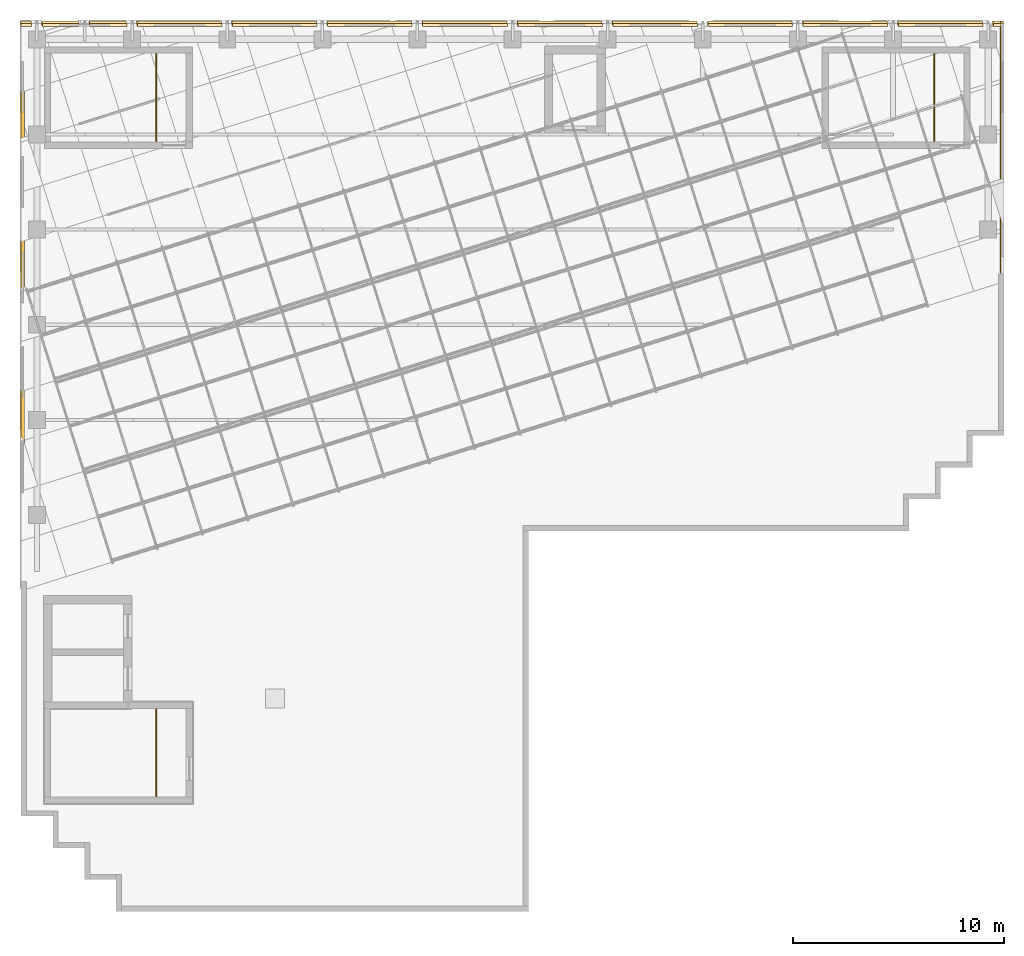
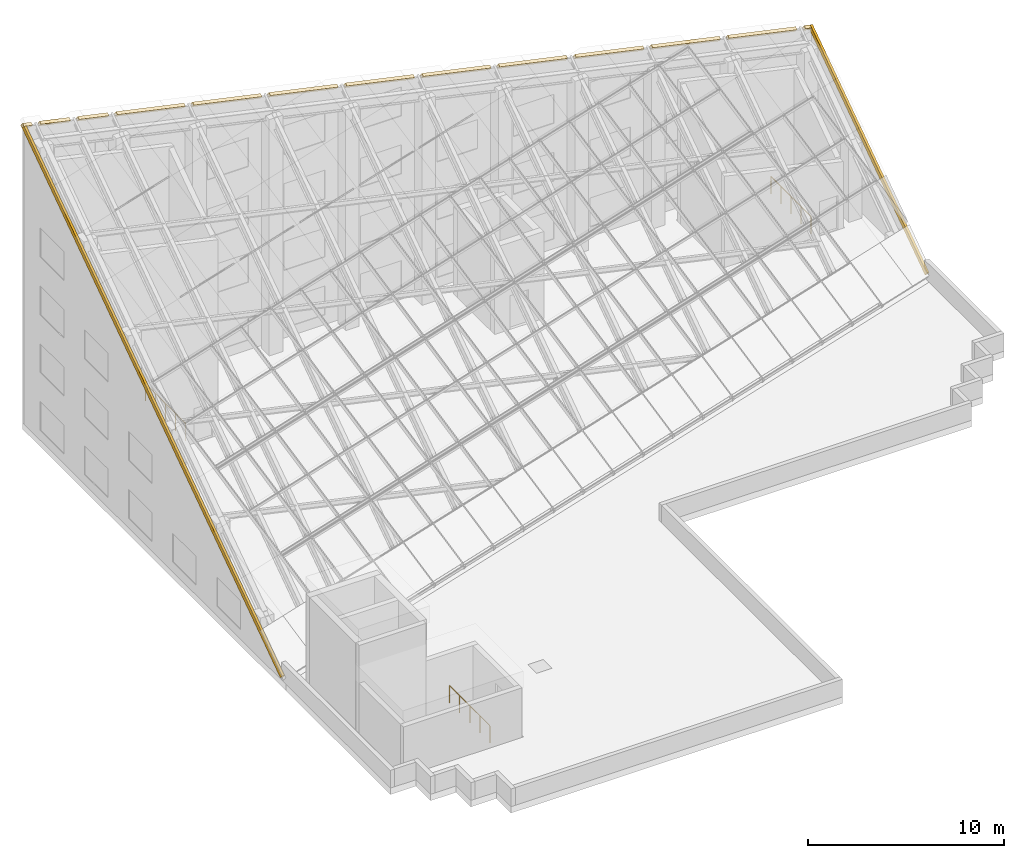
# One storey, part 14 of 14: 15 coverings, 3 railings.
"""IFC4 building model written with IfcOpenShell, lengths in metres."""

from ifc_helpers import new_model, si_unit, direction, frame, origin, origin_2d, place, context, subcontext, project, spatial, polyline, circle, outline, extrude, material, layer, layer_set, type_object, element, save


model = new_model("IFC4")

# Units and contexts
model_context = context("Model", 3, precision=1e-05, world=origin(), true_north=direction((0.0, 1.0)))
body_context = subcontext(model_context, "Body", "Model", "MODEL_VIEW")
ifc_project = project(units=[si_unit("LENGTHUNIT", "METRE"), si_unit("AREAUNIT", "SQUARE_METRE"), si_unit("VOLUMEUNIT", "CUBIC_METRE"), si_unit("PLANEANGLEUNIT", "RADIAN"), si_unit("MASSUNIT", "GRAM", prefix="KILO")], contexts=[model_context])

# Site, building, storey
site_placement = place(None, origin())
site = spatial("IfcSite", under=ifc_project, at=site_placement, CompositionType="ELEMENT")
building_placement = place(site_placement, origin())
building = spatial("IfcBuilding", under=site, at=building_placement, Name="Firuza Court", CompositionType="ELEMENT")
storey_placement = place(building_placement, frame((0.0, 0.0, 266.199951171875)))
storey = spatial("IfcBuildingStorey", under=building, at=storey_placement, Name="L68 Crown", CompositionType="ELEMENT", Elevation=266.199951171875)

# Coverings
ifc_material_1 = material(Name="Ceramic tile", Category="ceramic")
ifc_layer_1 = layer(ifc_material_1, 0.02001953125)
ifc_material_2 = material(Name="Concrete C40/50 precast", Category="concrete")
ifc_layer_2 = layer(ifc_material_2, 0.199951171875)
ifc_layer_set = layer_set([ifc_layer_1, ifc_layer_2], Name="Concrete C40/50 precast")
covering_type = type_object("IfcCoveringType", Name="Crown eave cill 150", PredefinedType="CLADDING", material=ifc_layer_set)
covering_1_placement = place(storey_placement, frame((45.60009765625, 59.25, 8.52734375), z_axis=(0.176552440868, -0.560697832992, 0.808979094725), x_axis=(0.977003709022, 0.0, -0.213222307832)))
element("IfcCovering", 1, at=covering_1_placement, inside=storey, type_object=covering_type, Name="Crown eave cill", PredefinedType="CLADDING", context=body_context, shape_type="SweptSolid", body=[
    extrude(outline(polyline([(0.0, 0.0), (0.15343068031958304, 0.0), (1.909651627422516, -14.352047002215905), (1.7562209471029329, -14.352047002215905), (0.0, 0.0)])), origin(), (0.0, 0.0, -1.0), 0.219970703125),
])
covering_2_placement = place(storey_placement, frame((45.25, 59.10009765625, 8.49951171875), z_axis=(0.175971614045, -0.56114927062, 0.808792610706), x_axis=(0.0, 0.821613694166, 0.570044680317)))
element("IfcCovering", 2, at=covering_2_placement, inside=storey, type_object=covering_type, Name="Crown eave cill", PredefinedType="CLADDING", context=body_context, shape_type="SweptSolid", body=[
    extrude(outline(polyline([(0.0, 0.0), (0.18244869190268795, -3.469446951953614e-18), (0.13902731976913416, -0.3556474488799241), (-0.043421372133553814, -0.3556474488799241), (0.0, 0.0)])), origin(), (0.0, 0.0, -1.0), 0.219970703125),
])
covering_3_placement = place(storey_placement, frame((40.75, 59.10009765625, 9.48046875), z_axis=(0.176402289483, -0.560215170765, 0.809346152588), x_axis=(0.0, 0.82224039823, 0.569140340794)))
element("IfcCovering", 3, at=covering_3_placement, inside=storey, type_object=covering_type, Name="Crown eave cill", PredefinedType="CLADDING", context=body_context, shape_type="SweptSolid", body=[
    extrude(outline(polyline([(0.0, 0.0), (0.18230963118907922, 0.0), (-0.3138818133850775, -4.063726728545809), (-0.4961914445741567, -4.063726728545809), (0.0, 0.0)])), origin(), (0.0, 0.0, -1.0), 0.219970703125),
])
covering_4_placement = place(storey_placement, frame((36.25, 59.10009765625, 10.461181640625), z_axis=(0.176313232587, -0.560669592598, 0.809050833972), x_axis=(9.5512723e-05, 0.821936791934, 0.569578704784)))
element("IfcCovering", 4, at=covering_4_placement, inside=storey, type_object=covering_type, Name="Crown eave cill", PredefinedType="CLADDING", context=body_context, shape_type="SweptSolid", body=[
    extrude(outline(polyline([(0.0, 0.0), (0.1823096044385637, -5.204170427930421e-18), (-0.3137429091424448, -4.063691318396869), (-0.49619157088198096, -4.063726711923199), (0.0, 0.0)])), origin(), (0.0, 0.0, -1.0), 0.219970703125),
])
for number, where, z_axis, x_axis, name in (
    (5, (31.75, 59.10009765625, 11.44189453125), (0.176272016501, -0.561118632093, 0.808748450951), (0.0, 0.821613694166, 0.570044680317), "Crown eave cill"),
    (6, (27.25, 59.10009765625, 12.422607421875), (0.176272016501, -0.561118632093, 0.808748450951), (0.0, 0.821613694166, 0.570044680317), "Crown eave cill"),
    (7, (22.75, 59.10009765625, 13.403564453125), (0.176272016501, -0.561118632093, 0.808748450951), (0.0, 0.821613694166, 0.570044680317), "Crown eave cill"),
):
    element("IfcCovering", number, at=place(storey_placement, frame(where, z_axis=z_axis, x_axis=x_axis)), inside=storey, type_object=covering_type, Name=name, PredefinedType="CLADDING", context=body_context, shape_type="SweptSolid", body=[
        extrude(outline(polyline([(0.0, 0.0), (0.18244869190268795, -1.734723475976807e-18), (-0.31453117953616033, -4.0636303819799915), (-0.4969798714388483, -4.063630381979991), (0.0, 0.0)])), origin(), (0.0, 0.0, -1.0), 0.219970703125),
    ])
covering_5_placement = place(storey_placement, frame((18.25, 59.10009765625, 14.38427734375), z_axis=(0.176313232587, -0.560669592598, 0.809050833972), x_axis=(9.5512723e-05, 0.821936791934, 0.569578704784)))
element("IfcCovering", 8, at=covering_5_placement, inside=storey, type_object=covering_type, Name="Crown eave cill", PredefinedType="CLADDING", context=body_context, shape_type="SweptSolid", body=[
    extrude(outline(polyline([(0.0, 0.0), (0.1823096044385637, -5.204170427930421e-18), (-0.3137429091424448, -4.063691318396869), (-0.49619157088198096, -4.063726711923199), (0.0, 0.0)])), origin(), (0.0, 0.0, -1.0), 0.219970703125),
])
for number, where, z_axis, x_axis, name in (
    (9, (13.75, 59.10009765625, 15.364990234375), (0.176272016501, -0.561118632093, 0.808748450951), (0.0, 0.821613694166, 0.570044680317), "Crown eave cill"),
    (10, (9.25, 59.10009765625, 16.345703125), (0.176272016501, -0.561118632093, 0.808748450951), (0.0, 0.821613694166, 0.570044680317), "Crown eave cill"),
    (11, (4.75, 59.10009765625, 17.32666015625), (0.176272016501, -0.561118632093, 0.808748450951), (0.0, 0.821613694166, 0.570044680317), "Crown eave cill"),
):
    element("IfcCovering", number, at=place(storey_placement, frame(where, z_axis=z_axis, x_axis=x_axis)), inside=storey, type_object=covering_type, Name=name, PredefinedType="CLADDING", context=body_context, shape_type="SweptSolid", body=[
        extrude(outline(polyline([(0.0, 0.0), (0.18244869190268795, -1.734723475976807e-18), (-0.31453117953616033, -4.0636303819799915), (-0.4969798714388483, -4.063630381979991), (0.0, 0.0)])), origin(), (0.0, 0.0, -1.0), 0.219970703125),
    ])
covering_6_placement = place(storey_placement, frame((2.5, 59.10009765625, 17.81689453125), z_axis=(0.176237853098, -0.561122119191, 0.808753476957), x_axis=(0.0, 0.821613694166, 0.570044680317)))
element("IfcCovering", 12, at=covering_6_placement, inside=storey, type_object=covering_type, Name="Crown eave cill", PredefinedType="CLADDING", context=body_context, shape_type="SweptSolid", body=[
    extrude(outline(polyline([(0.0, 0.0), (0.18244869190268795, -1.734723475976807e-18), (-0.034936510894142334, -1.777827243725427), (-0.2173852027968303, -1.777827243725427), (0.0, 0.0)])), origin(), (0.0, 0.0, -1.0), 0.219970703125),
])
covering_7_placement = place(storey_placement, frame((0.25, 59.10009765625, 18.307373046875), z_axis=(0.176368102453, -0.560218657397, 0.809351189745), x_axis=(0.0, 0.82224039823, 0.569140340794)))
element("IfcCovering", 13, at=covering_7_placement, inside=storey, type_object=covering_type, Name="Crown eave cill", PredefinedType="CLADDING", context=body_context, shape_type="SweptSolid", body=[
    extrude(outline(polyline([(0.0, 0.0), (0.18230963118907922, -1.734723475976807e-18), (-0.03473070385007865, -1.777869378749029), (-0.21704033503915787, -1.7778693787490287), (0.0, 0.0)])), origin(), (0.0, 0.0, -1.0), 0.219970703125),
])
covering_8_placement = place(storey_placement, frame((-0.75, 59.10009765625, 18.525146484375), z_axis=(0.17612852593, -0.561133273654, 0.808769554046), x_axis=(0.0, 0.821613694166, 0.570044680317)))
element("IfcCovering", 14, at=covering_8_placement, inside=storey, type_object=covering_type, Name="Crown eave cill", PredefinedType="CLADDING", context=body_context, shape_type="SweptSolid", body=[
    extrude(outline(polyline([(0.0, 0.0), (0.18244869190268798, 3.469446951953614e-18), (0.12037839712203093, -0.5079405437902984), (-0.062070294780657044, -0.5079405437902983), (0.0, 0.0)])), origin(), (0.0, 0.0, -1.0), 0.219970703125),
])
covering_9_placement = place(storey_placement, frame((-0.60009765625, 32.791015625, 0.258056640625), z_axis=(0.176553257755, -0.560692175233, 0.808982837771), x_axis=(-0.977003709022, 0.0, 0.213222307832)))
element("IfcCovering", 15, at=covering_9_placement, inside=storey, type_object=covering_type, Name="Crown eave cill", PredefinedType="CLADDING", context=body_context, shape_type="SweptSolid", body=[
    extrude(outline(polyline([(0.0, 0.0), (0.15343068031958304, 0.0), (4.041406199696643, -31.77332018106373), (3.8879755193770595, -31.77332018106373), (0.0, 0.0)])), origin(), (0.0, 0.0, -1.0), 0.219970703125),
])

# Railings
ifc_material_3 = material(Name="Steel S355", Category="steel")
railing_type = type_object("IfcRailingType", Name="Stair guard 1100", PredefinedType="GUARDRAIL", material=ifc_material_3)
for number, where, name in (
    (16, (42.449951171875, 53.699951171875, 0.0), "Stair guard S1"),
    (17, (5.64990234375, 22.699951171875, 0.0), "Stair guard S2"),
    (18, (5.64990234375, 53.699951171875, 0.0), "Stair guard S3"),
):
    element("IfcRailing", number, at=place(storey_placement, frame(where)), inside=storey, type_object=railing_type, Name=name, PredefinedType="GUARDRAIL", context=body_context, shape_type="SweptSolid", body=[
        extrude(circle(Radius=0.02490234375, at=origin_2d()), frame((0.0, 0.0, 1.0751953125), z_axis=(0.0, 1.0, 0.0), x_axis=(-1.0, 0.0, 0.0)), (0.0, 0.0, 1.0), 4.10009765625),
        extrude(circle(Radius=0.02490234375, at=origin_2d()), origin(), (0.0, 0.0, 1.0), 1.050048828125),
        extrude(circle(Radius=0.02490234375, at=origin_2d()), frame((0.0, 1.02490234375, 0.0)), (0.0, 0.0, 1.0), 1.050048828125),
        extrude(circle(Radius=0.02490234375, at=origin_2d()), frame((0.0, 2.050048828125, 0.0)), (0.0, 0.0, 1.0), 1.050048828125),
        extrude(circle(Radius=0.02490234375, at=origin_2d()), frame((0.0, 3.0751953125, 0.0)), (0.0, 0.0, 1.0), 1.050048828125),
        extrude(circle(Radius=0.02490234375, at=origin_2d()), frame((0.0, 4.10009765625, 0.0)), (0.0, 0.0, 1.0), 1.050048828125),
    ])

save(model, "model.ifc")
